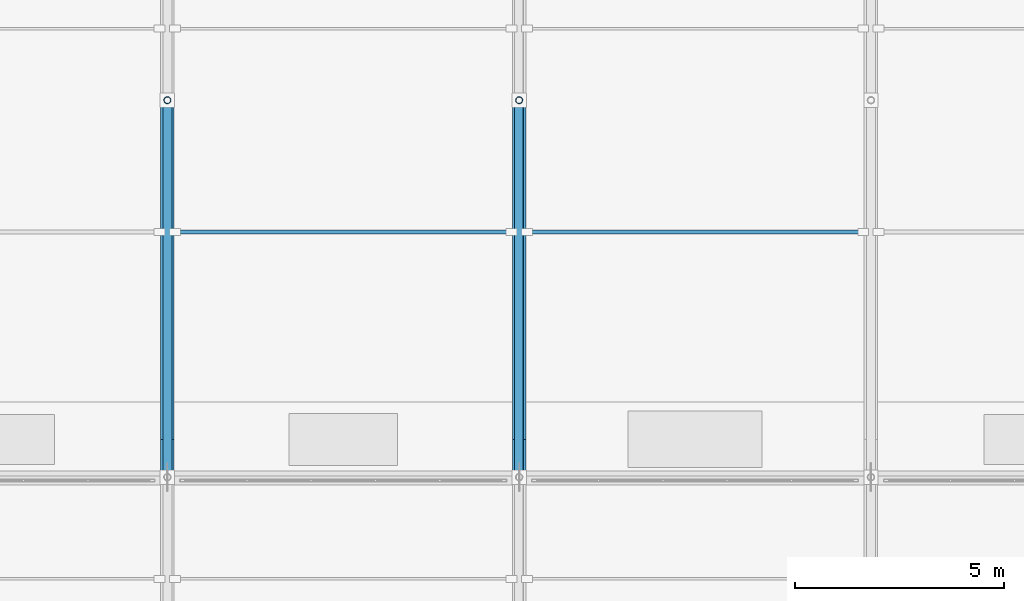
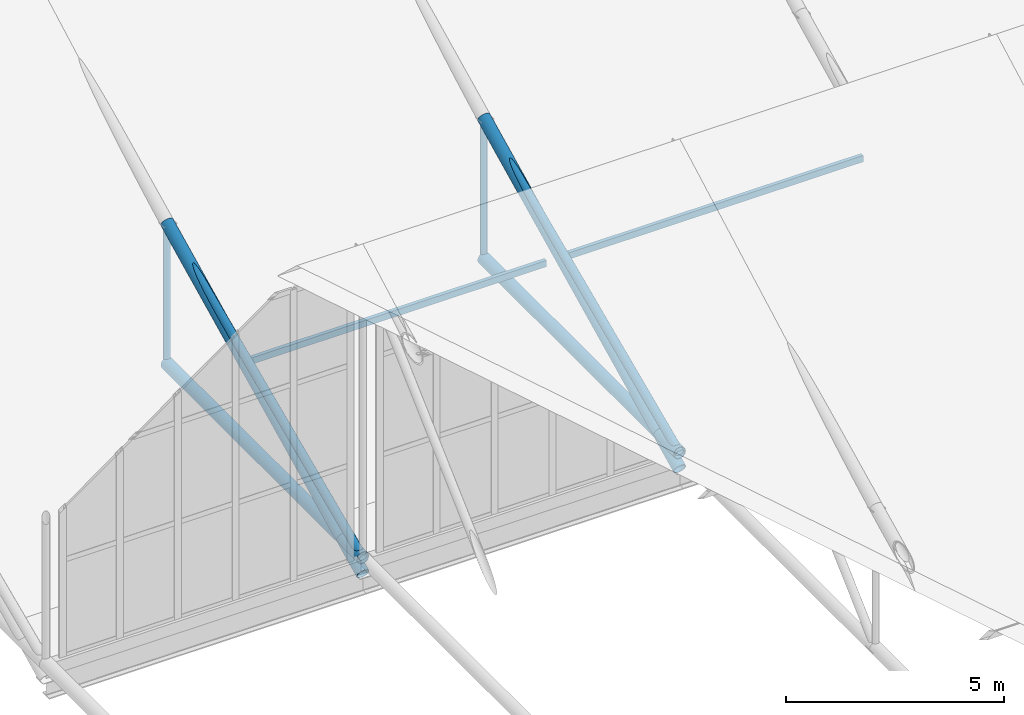
# One storey, part 9 of 38: 10 members.
"""IFC4 building model written with IfcOpenShell, lengths in metres."""

from ifc_helpers import new_model, si_unit, direction, frame, origin, origin_2d, place, context, subcontext, project, spatial, hollow_rectangle, hollow_circle, extrude, material, material_profile, profile_set, type_object, element, save


model = new_model("IFC4")

# Units and contexts
model_context = context("Model", 3, precision=1e-05, world=origin(), true_north=direction((0.0, 1.0)))
body_context = subcontext(model_context, "Body", "Model", "MODEL_VIEW")
ifc_project = project(units=[si_unit("LENGTHUNIT", "METRE"), si_unit("AREAUNIT", "SQUARE_METRE"), si_unit("VOLUMEUNIT", "CUBIC_METRE"), si_unit("PLANEANGLEUNIT", "RADIAN"), si_unit("MASSUNIT", "GRAM", prefix="KILO")], contexts=[model_context])

# Site, building, storey
site_placement = place(None, origin())
site = spatial("IfcSite", under=ifc_project, at=site_placement, CompositionType="ELEMENT")
building_placement = place(site_placement, origin())
building = spatial("IfcBuilding", under=site, at=building_placement, Name="Veltarok Museum of Natural Sciences", CompositionType="ELEMENT")
storey_placement = place(building_placement, frame((0.0, 0.0, 31.199951171875)))
storey = spatial("IfcBuildingStorey", under=building, at=storey_placement, Name="RF", CompositionType="ELEMENT", Elevation=31.199951171875)

# Members
ifc_material_1 = material(Name="Steel S355J2", Category="steel")
ifc_material_profile_1 = material_profile(ifc_material_1, hollow_rectangle(XDim=0.10009765625, YDim=0.179931640625, WallThickness=0.008056640625, at=origin_2d()), Name="RHS 180x100x8")
ifc_profile_set_1 = profile_set([ifc_material_profile_1], Name="Steel S355J2")
member_type_1 = type_object("IfcMemberType", Name="Heavy Valley Roof Purlin RHS 180x100x8", PredefinedType="PURLIN", material=ifc_profile_set_1)
for number, where, z_axis, x_axis, name in (
    (1, (48.580078125, 59.85009765625, -3.950439453125), (1.0, 0.0, 0.0), (0.0, 1.0, 0.0), "Sawtooth Purlin 6-7 M2"),
    (2, (56.97998046875, 59.85009765625, -3.950439453125), (1.0, 0.0, 0.0), (0.0, 1.0, 0.0), "Sawtooth Purlin 7-8 M2"),
):
    element("IfcMember", number, at=place(storey_placement, frame(where, z_axis=z_axis, x_axis=x_axis)), inside=storey, type_object=member_type_1, Name=name, PredefinedType="PURLIN", context=body_context, shape_type="SweptSolid", body=[
        extrude(hollow_rectangle(XDim=0.10009765625, YDim=0.179931640625, WallThickness=0.008056640625, at=origin_2d()), origin(), (0.0, 0.0, 1.0), 8.0400390625),
    ])
ifc_material_2 = material(Name="Oxide-red painted Steel S355J2", Category="steel")
ifc_material_profile_2 = material_profile(ifc_material_2, hollow_circle(Radius=0.161865234375, WallThickness=0.01611328125, at=origin_2d()), Name="CHS 323.9x16")
ifc_profile_set_2 = profile_set([ifc_material_profile_2], Name="Oxide-red painted Steel S355J2")
member_type_2 = type_object("IfcMemberType", Name="Sawtooth Truss Chord CHS 323.9x16", PredefinedType="CHORD", material=ifc_profile_set_2)
member_1_placement = place(storey_placement, frame((48.39990234375, 54.0, -5.800048828125), z_axis=(0.0, 1.0, 0.0), x_axis=(-1.0, 0.0, 0.0)))
element("IfcMember", 3, at=member_1_placement, inside=storey, type_object=member_type_2, Name="Roof Truss Bottom Chord 6 M2", PredefinedType="CHORD", context=body_context, shape_type="SweptSolid", body=[
    extrude(hollow_circle(Radius=0.161865234375, WallThickness=0.01611328125, at=origin_2d()), origin(), (0.0, 0.0, 1.0), 9.0),
])
member_2_placement = place(storey_placement, frame((48.39990234375, 54.0, -6.25), z_axis=(0.0, 0.898378591281, 0.43922193334), x_axis=(-1.0, 0.0, 0.0)))
element("IfcMember", 4, at=member_2_placement, inside=storey, type_object=member_type_2, Name="Roof Truss Top Chord 6 M2", PredefinedType="CHORD", context=body_context, shape_type="SweptSolid", body=[
    extrude(hollow_circle(Radius=0.161865234375, WallThickness=0.01611328125, at=origin_2d()), origin(), (0.0, 0.0, 1.0), 10.01806640625),
])
member_3_placement = place(storey_placement, frame((56.800048828125, 54.0, -5.800048828125), z_axis=(0.0, 1.0, 0.0), x_axis=(-1.0, 0.0, 0.0)))
element("IfcMember", 5, at=member_3_placement, inside=storey, type_object=member_type_2, Name="Roof Truss Bottom Chord 7 M2", PredefinedType="CHORD", context=body_context, shape_type="SweptSolid", body=[
    extrude(hollow_circle(Radius=0.161865234375, WallThickness=0.01611328125, at=origin_2d()), origin(), (0.0, 0.0, 1.0), 9.0),
])
member_4_placement = place(storey_placement, frame((56.800048828125, 54.0, -6.25), z_axis=(0.0, 0.898378591281, 0.43922193334), x_axis=(-1.0, 0.0, 0.0)))
element("IfcMember", 6, at=member_4_placement, inside=storey, type_object=member_type_2, Name="Roof Truss Top Chord 7 M2", PredefinedType="CHORD", context=body_context, shape_type="SweptSolid", body=[
    extrude(hollow_circle(Radius=0.161865234375, WallThickness=0.01611328125, at=origin_2d()), origin(), (0.0, 0.0, 1.0), 10.01806640625),
])
ifc_material_profile_3 = material_profile(ifc_material_2, hollow_circle(Radius=0.084228515625, WallThickness=0.008056640625, at=origin_2d()), Name="CHS 168.3x8")
ifc_profile_set_3 = profile_set([ifc_material_profile_3], Name="Oxide-red painted Steel S355J2")
member_type_3 = type_object("IfcMemberType", Name="Sawtooth Truss Vertical Strut CHS 168.3x8", PredefinedType="STRUT", material=ifc_profile_set_3)
for number, where, z_axis, x_axis, name in (
    (7, (48.39990234375, 63.0, -5.800048828125), (0.0, 0.0, 1.0), (1.0, 0.0, 0.0), "Roof Truss Strut 6 M2"),
    (8, (56.800048828125, 63.0, -5.800048828125), (0.0, 0.0, 1.0), (1.0, 0.0, 0.0), "Roof Truss Strut 7 M2"),
):
    element("IfcMember", number, at=place(storey_placement, frame(where, z_axis=z_axis, x_axis=x_axis)), inside=storey, type_object=member_type_3, Name=name, PredefinedType="STRUT", context=body_context, shape_type="SweptSolid", body=[
        extrude(hollow_circle(Radius=0.084228515625, WallThickness=0.008056640625, at=origin_2d()), origin(), (0.0, 0.0, 1.0), 3.9501953125),
    ])
ifc_material_profile_4 = material_profile(ifc_material_2, hollow_circle(Radius=0.109619140625, WallThickness=0.010009765625, at=origin_2d()), Name="CHS 219.1x10")
ifc_profile_set_4 = profile_set([ifc_material_profile_4], Name="Oxide-red painted Steel S355J2")
member_type_4 = type_object("IfcMemberType", Name="Sawtooth Truss Web Diagonal CHS 219.1x10", PredefinedType="BRACE", material=ifc_profile_set_4)
for number, where, z_axis, x_axis, name in (
    (9, (48.39990234375, 54.0, -5.800048828125), (0.0, 0.915682381641, 0.401902694633), (-1.0, 0.0, 0.0), "Roof Truss Diagonal 6 M2"),
    (10, (56.800048828125, 54.0, -5.800048828125), (0.0, 0.915682381641, 0.401902694633), (-1.0, 0.0, 0.0), "Roof Truss Diagonal 7 M2"),
):
    element("IfcMember", number, at=place(storey_placement, frame(where, z_axis=z_axis, x_axis=x_axis)), inside=storey, type_object=member_type_4, Name=name, PredefinedType="BRACE", context=body_context, shape_type="SweptSolid", body=[
        extrude(hollow_circle(Radius=0.109619140625, WallThickness=0.010009765625, at=origin_2d()), origin(), (0.0, 0.0, 1.0), 9.828857421875),
    ])

save(model, "model.ifc")
